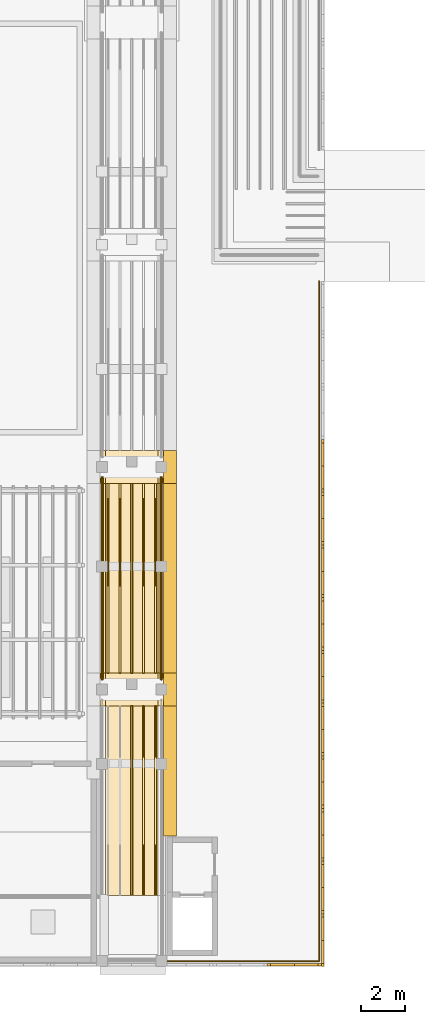
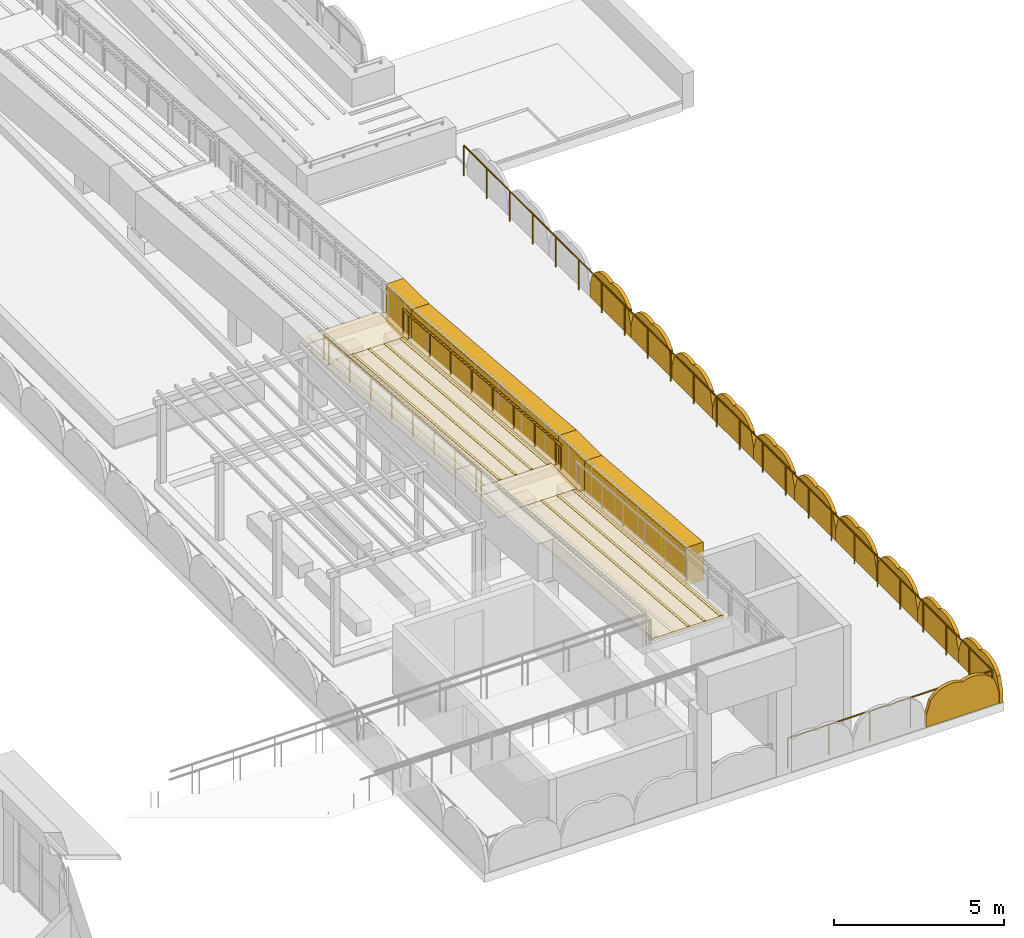
# One storey, part 65 of 70: 19 coverings, 11 shading devices, 3 railings.
"""IFC4 building model written with IfcOpenShell, lengths in metres."""

import ifcopenshell
import ifcopenshell.guid

model = None  # the IFC model being written
_history = None  # IfcOwnerHistory: only IFC2X3 demands one
_inside = {}  # id of a spatial element -> (the spatial element, [elements in it])
_under = {}  # id of a project, library or spatial element -> (it, [spatial elements below it])
_declared = {}  # id of a project -> (the project, [libraries it declares])
_typed = {}  # id of a type object -> (the type object, [elements of that type])
_made_of = {}  # id of a material, layer set ... -> (it, [elements and type objects made of it])


def new_model(schema):
    """Start an empty IFC model of exactly this schema.

    Asked for "IFC4X3", IfcOpenShell would pick the latest addendum, in which some entities
    have other attributes; the version numbers below select the first issue.
    IFC2X3 requires an IfcOwnerHistory on every rooted entity: one is made here for all.
    """
    global model, _history
    if schema == "IFC4X3":
        model = ifcopenshell.file(schema_version=(4, 3, 0, 0))
    else:
        model = ifcopenshell.file(schema=schema)
    _inside.clear()
    _under.clear()
    _declared.clear()
    _typed.clear()
    _made_of.clear()
    _history = None
    if model.schema == "IFC2X3":
        org = make("IfcOrganization", Name="unknown")
        user = make(
            "IfcPersonAndOrganization",
            ThePerson=make("IfcPerson", FamilyName="unknown"),
            TheOrganization=org,
        )
        app = make(
            "IfcApplication",
            ApplicationDeveloper=org,
            Version="unknown",
            ApplicationFullName="unknown",
            ApplicationIdentifier="unknown",
        )
        _history = make(
            "IfcOwnerHistory",
            OwningUser=user,
            OwningApplication=app,
            ChangeAction="ADDED",
            CreationDate=0,
        )
    return model


def make(cls, **values):
    """One entity of the class cls with the attributes given. An attribute that is None is left unset."""
    return model.create_entity(
        cls, **{name: value for name, value in values.items() if value is not None}
    )


def rooted(cls, **values):
    """An entity with a GlobalId (a new one), such as an element, a storey or a relation."""
    return make(cls, GlobalId=ifcopenshell.guid.new(), OwnerHistory=_history, **values)


def si_unit(unit_type, name, prefix=None):
    """IfcSIUnit, for example si_unit("LENGTHUNIT", "METRE", prefix="MILLI")."""
    return make("IfcSIUnit", UnitType=unit_type, Prefix=prefix, Name=name)


def assignment(units):
    """IfcUnitAssignment: the units of a project."""
    return None if units is None else make("IfcUnitAssignment", Units=units)


def point(xyz):
    """IfcCartesianPoint."""
    return None if xyz is None else make("IfcCartesianPoint", Coordinates=xyz)


def direction(xyz):
    """IfcDirection."""
    return None if xyz is None else make("IfcDirection", DirectionRatios=xyz)


def frame(location, z_axis=None, x_axis=None):
    """IfcAxis2Placement3D, a coordinate frame: its origin and axes. An axis left out is left unset."""
    return make(
        "IfcAxis2Placement3D",
        Location=point(location),
        Axis=direction(z_axis),
        RefDirection=direction(x_axis),
    )


def frame_2d(location, x_axis=None):
    """IfcAxis2Placement2D, a coordinate frame in the plane: its origin and x axis."""
    return make(
        "IfcAxis2Placement2D", Location=point(location), RefDirection=direction(x_axis)
    )


def origin():
    """The frame at (0, 0, 0) with its axes left unset."""
    return frame((0.0, 0.0, 0.0))


def origin_2d():
    """The frame at (0, 0) in the plane with its x axis left unset."""
    return frame_2d((0.0, 0.0))


def place(relative_to, where):
    """IfcLocalPlacement: puts the frame where relative to a parent placement (None: the world)."""
    return make(
        "IfcLocalPlacement", PlacementRelTo=relative_to, RelativePlacement=where
    )


def context(
    kind, dimensions, precision=None, world=None, true_north=None, identifier=None
):
    """IfcGeometricRepresentationContext, for example the 3D "Model" context."""
    return make(
        "IfcGeometricRepresentationContext",
        ContextIdentifier=identifier,
        ContextType=kind,
        CoordinateSpaceDimension=dimensions,
        Precision=precision,
        WorldCoordinateSystem=world,
        TrueNorth=true_north,
    )


def subcontext(parent, identifier, kind, view, scale=None):
    """IfcGeometricRepresentationSubContext, for example "Body" below "Model"."""
    return make(
        "IfcGeometricRepresentationSubContext",
        ContextIdentifier=identifier,
        ContextType=kind,
        ParentContext=parent,
        TargetScale=scale,
        TargetView=view,
    )


def project(units=None, contexts=None):
    """IfcProject with its units and contexts."""
    return rooted(
        "IfcProject",
        Name="project",
        RepresentationContexts=contexts,
        UnitsInContext=assignment(units),
    )


def spatial(cls, under=None, at=None, **own):
    """A site, building, storey or space (cls), placed at a placement, below another one or the project."""
    s = rooted(cls, ObjectPlacement=at, **own)
    if under is not None:
        _under.setdefault(under.id(), (under, []))[1].append(s)
    return s


def polyline(points):
    """IfcPolyline through the points."""
    return make("IfcPolyline", Points=[point(p) for p in points])


def profile(cls, at=None, kind="AREA", **sizes):
    """A parametric profile (cls). Its sizes go by their IFC names, for example OverallWidth=200.0."""
    return make(cls, ProfileType=kind, Position=at, **sizes)


def circle(**sizes):
    """IfcCircleProfileDef."""
    return profile("IfcCircleProfileDef", **sizes)


def outline(outer, holes=None, kind="AREA"):
    """IfcArbitraryClosedProfileDef: a profile drawn as a closed curve; with holes, ...WithVoids."""
    if holes is None:
        return make("IfcArbitraryClosedProfileDef", ProfileType=kind, OuterCurve=outer)
    return make(
        "IfcArbitraryProfileDefWithVoids",
        ProfileType=kind,
        OuterCurve=outer,
        InnerCurves=holes,
    )


def extrude(swept, where, along, depth):
    """IfcExtrudedAreaSolid: the profile swept, set in the frame where, extruded along a direction by depth."""
    return make(
        "IfcExtrudedAreaSolid",
        SweptArea=swept,
        Position=where,
        ExtrudedDirection=direction(along),
        Depth=depth,
    )


def shape(context_of_items, identifier, shape_type, items):
    """IfcShapeRepresentation: the items that make up one representation, for example the "Body"."""
    return make(
        "IfcShapeRepresentation",
        ContextOfItems=context_of_items,
        RepresentationIdentifier=identifier,
        RepresentationType=shape_type,
        Items=items,
    )


def material(Name=None, Category=None):
    """IfcMaterial."""
    return make("IfcMaterial", Name=Name, Category=Category)


def layer(
    of_material, thickness, ventilated=None, Name=None, Category=None, Priority=None
):
    """IfcMaterialLayer: one layer of a wall or slab, of a material (None: an air gap)."""
    return make(
        "IfcMaterialLayer",
        Material=of_material,
        LayerThickness=thickness,
        IsVentilated=ventilated,
        Name=Name,
        Category=Category,
        Priority=Priority,
    )


def layer_set(layers, Name=None):
    """IfcMaterialLayerSet."""
    return make("IfcMaterialLayerSet", MaterialLayers=layers, LayerSetName=Name)


def made_of(thing, what):
    """Note that an element or type object is made of a material, layer set ...; save() writes the relation."""
    if what is not None:
        _made_of.setdefault(what.id(), (what, []))[1].append(thing)
    return thing


def type_object(cls, material=None, **own):
    """A type object (cls), such as IfcWallType, which elements share."""
    return made_of(rooted(cls, **own), material)


def element(
    cls,
    number,
    at=None,
    inside=None,
    cuts=None,
    type_object=None,
    material=None,
    context=None,
    identifier="Body",
    shape_type=None,
    held_by="IfcProductDefinitionShape",
    body=None,
    shapes=None,
    **own,
):
    """One element of the class cls, such as IfcWall. Its Tag is "e" and its number.

    at: its placement. inside: the storey or other place that contains it. cuts: it is an
    opening in that element (IfcRelVoidsElement). A single representation is given by context,
    identifier, shape_type and body (its items); several are given by shapes. held_by: the class
    of the entity that holds the representations. save() writes the other relations.
    """
    e = rooted(cls, Tag="e%d" % number, ObjectPlacement=at, **own)
    if body is not None:
        shapes = [shape(context, identifier, shape_type, body)]
    if shapes is not None:
        e.Representation = make(held_by, Representations=shapes)
    if inside is not None:
        _inside.setdefault(inside.id(), (inside, []))[1].append(e)
    if cuts is not None:
        rooted(
            "IfcRelVoidsElement", RelatingBuildingElement=cuts, RelatedOpeningElement=e
        )
    if type_object is not None:
        _typed.setdefault(type_object.id(), (type_object, []))[1].append(e)
    return made_of(e, material)


def aggregate(whole, parts):
    """IfcRelAggregates: a whole, such as a stair, and the parts it consists of."""
    return rooted("IfcRelAggregates", RelatingObject=whole, RelatedObjects=parts)


def save(model, path):
    """Write the relations noted so far, then the file.

    IfcRelAggregates (storeys below a building ...), IfcRelContainedInSpatialStructure (elements
    in a storey), IfcRelDefinesByType, IfcRelAssociatesMaterial and IfcRelDeclares: one each for
    every whole, place, type object, material and project.
    """
    for whole, parts in _under.values():
        aggregate(whole, parts)
    for where, things in _inside.values():
        rooted(
            "IfcRelContainedInSpatialStructure",
            RelatedElements=things,
            RelatingStructure=where,
        )
    for kind, things in _typed.values():
        rooted("IfcRelDefinesByType", RelatedObjects=things, RelatingType=kind)
    for what, things in _made_of.values():
        rooted("IfcRelAssociatesMaterial", RelatedObjects=things, RelatingMaterial=what)
    for by, libraries in _declared.values():
        rooted("IfcRelDeclares", RelatingContext=by, RelatedDefinitions=libraries)
    model.write(path)


model = new_model("IFC4")

# Units and contexts
model_context = context("Model", 3, precision=1e-05, world=origin(), true_north=direction((0.0, 1.0)))
body_context = subcontext(model_context, "Body", "Model", "MODEL_VIEW")
ifc_project = project(units=[si_unit("LENGTHUNIT", "METRE"), si_unit("AREAUNIT", "SQUARE_METRE"), si_unit("VOLUMEUNIT", "CUBIC_METRE"), si_unit("PLANEANGLEUNIT", "RADIAN"), si_unit("MASSUNIT", "GRAM", prefix="KILO")], contexts=[model_context])

# Site, building, storey
site_placement = place(None, origin())
site = spatial("IfcSite", under=ifc_project, at=site_placement, CompositionType="ELEMENT")
building_placement = place(site_placement, origin())
building = spatial("IfcBuilding", under=site, at=building_placement, Name="Elbe Cascade School", CompositionType="ELEMENT")
storey_placement = place(building_placement, frame((0.0, 0.0, 8.10009765625)))
storey = spatial("IfcBuildingStorey", under=building, at=storey_placement, Name="L02", CompositionType="ELEMENT", Elevation=8.10009765625)

# Shading devices
ifc_material_1 = material(Name="Precast concrete C40/50", Category="concrete")
ifc_layer_1 = layer(ifc_material_1, 0.1201171875)
ifc_layer_set_1 = layer_set([ifc_layer_1], Name="Precast concrete C40/50")
shading_device_type = type_object("IfcShadingDeviceType", Name="Bars envelope Attic jali screen, pointed arch top, pierced precast concrete, 1200 high", PredefinedType="USERDEFINED", material=ifc_layer_set_1)
shading_device_1_placement = place(storey_placement, frame((175.1201171875, 5.75, 0.0), z_axis=(1.0, 0.0, 0.0), x_axis=(0.0, 1.0, 0.0)))
element("IfcShadingDevice", 1, at=shading_device_1_placement, inside=storey, type_object=shading_device_type, Name="Attic jali screen SD1 D.L02.e1", ObjectType="JALI", PredefinedType="USERDEFINED", context=body_context, shape_type="SweptSolid", body=[
    extrude(outline(polyline([(0.0, 0.0), (2.40380859375, 0.0), (2.40380859375, 0.39990234375), (2.253662109375, 0.8876953125), (2.103515625, 1.056396484375), (1.953125, 1.160400390625), (1.802978515625, 1.22509765625), (1.652587890625, 1.25927734375), (1.50244140625, 1.266357421875), (1.352294921875, 1.247314453125), (1.201904296875, 1.199951171875), (1.0517578125, 1.247314453125), (0.9013671875, 1.266357421875), (0.751220703125, 1.25927734375), (0.60107421875, 1.22509765625), (0.45068359375, 1.160400390625), (0.300537109375, 1.056396484375), (0.150146484375, 0.8876953125), (0.0, 0.39990234375), (0.0, 0.0)])), origin(), (0.0, 0.0, -1.0), 0.1201171875),
])
shading_device_2_placement = place(storey_placement, frame((175.1201171875, 8.15380859375, 0.0), z_axis=(1.0, 0.0, 0.0), x_axis=(0.0, 1.0, 0.0)))
element("IfcShadingDevice", 2, at=shading_device_2_placement, inside=storey, type_object=shading_device_type, Name="Attic jali screen SD1 D.L02.e2", ObjectType="JALI", PredefinedType="USERDEFINED", context=body_context, shape_type="SweptSolid", body=[
    extrude(outline(polyline([(0.0, 0.0), (2.40380859375, 0.0), (2.40380859375, 0.39990234375), (2.253662109375, 0.8876953125), (2.103271484375, 1.056396484375), (1.953125, 1.160400390625), (1.802978515625, 1.22509765625), (1.652587890625, 1.25927734375), (1.50244140625, 1.266357421875), (1.352294921875, 1.247314453125), (1.201904296875, 1.199951171875), (1.0517578125, 1.247314453125), (0.901611328125, 1.266357421875), (0.751220703125, 1.25927734375), (0.60107421875, 1.22509765625), (0.45068359375, 1.160400390625), (0.300537109375, 1.056396484375), (0.150390625, 0.8876953125), (0.0, 0.39990234375), (0.0, 0.0)])), origin(), (0.0, 0.0, -1.0), 0.1201171875),
])
shading_device_3_placement = place(storey_placement, frame((175.1201171875, 10.5576171875, 0.0), z_axis=(1.0, 0.0, 0.0), x_axis=(0.0, 1.0, 0.0)))
element("IfcShadingDevice", 3, at=shading_device_3_placement, inside=storey, type_object=shading_device_type, Name="Attic jali screen SD1 D.L02.e3", ObjectType="JALI", PredefinedType="USERDEFINED", context=body_context, shape_type="SweptSolid", body=[
    extrude(outline(polyline([(0.0, 0.0), (2.40380859375, 0.0), (2.40380859375, 0.39990234375), (2.253662109375, 0.8876953125), (2.103515625, 1.056396484375), (1.953125, 1.160400390625), (1.802978515625, 1.22509765625), (1.652587890625, 1.25927734375), (1.50244140625, 1.266357421875), (1.352294921875, 1.247314453125), (1.201904296875, 1.199951171875), (1.0517578125, 1.247314453125), (0.9013671875, 1.266357421875), (0.751220703125, 1.25927734375), (0.60107421875, 1.22509765625), (0.45068359375, 1.160400390625), (0.300537109375, 1.056396484375), (0.150390625, 0.8876953125), (0.0, 0.39990234375), (0.0, 0.0)])), origin(), (0.0, 0.0, -1.0), 0.1201171875),
])
shading_device_4_placement = place(storey_placement, frame((175.1201171875, 12.96142578125, 0.0), z_axis=(1.0, 0.0, 0.0), x_axis=(0.0, 1.0, 0.0)))
element("IfcShadingDevice", 4, at=shading_device_4_placement, inside=storey, type_object=shading_device_type, Name="Attic jali screen SD1 D.L02.e4", ObjectType="JALI", PredefinedType="USERDEFINED", context=body_context, shape_type="SweptSolid", body=[
    extrude(outline(polyline([(0.0, 0.0), (2.404052734375, 0.0), (2.404052734375, 0.39990234375), (2.253662109375, 0.8876953125), (2.103515625, 1.056396484375), (1.953369140625, 1.160400390625), (1.802978515625, 1.22509765625), (1.65283203125, 1.25927734375), (1.50244140625, 1.266357421875), (1.352294921875, 1.247314453125), (1.2021484375, 1.199951171875), (1.0517578125, 1.247314453125), (0.901611328125, 1.266357421875), (0.751220703125, 1.25927734375), (0.60107421875, 1.22509765625), (0.450927734375, 1.160400390625), (0.300537109375, 1.056396484375), (0.150390625, 0.8876953125), (0.0, 0.39990234375), (0.0, 0.0)])), origin(), (0.0, 0.0, -1.0), 0.1201171875),
])
shading_device_5_placement = place(storey_placement, frame((175.1201171875, 15.365478515625, 0.0), z_axis=(1.0, 0.0, 0.0), x_axis=(0.0, 1.0, 0.0)))
element("IfcShadingDevice", 5, at=shading_device_5_placement, inside=storey, type_object=shading_device_type, Name="Attic jali screen SD1 D.L02.e5", ObjectType="JALI", PredefinedType="USERDEFINED", context=body_context, shape_type="SweptSolid", body=[
    extrude(outline(polyline([(0.0, 0.0), (2.40380859375, 0.0), (2.40380859375, 0.39990234375), (2.25341796875, 0.8876953125), (2.103271484375, 1.056396484375), (1.953125, 1.160400390625), (1.802734375, 1.22509765625), (1.652587890625, 1.25927734375), (1.50244140625, 1.266357421875), (1.35205078125, 1.247314453125), (1.201904296875, 1.199951171875), (1.051513671875, 1.247314453125), (0.9013671875, 1.266357421875), (0.751220703125, 1.25927734375), (0.600830078125, 1.22509765625), (0.45068359375, 1.160400390625), (0.300537109375, 1.056396484375), (0.150146484375, 0.8876953125), (0.0, 0.39990234375), (0.0, 0.0)])), origin(), (0.0, 0.0, -1.0), 0.1201171875),
])
shading_device_6_placement = place(storey_placement, frame((175.1201171875, 17.769287109375, 0.0), z_axis=(1.0, 0.0, 0.0), x_axis=(0.0, 1.0, 0.0)))
element("IfcShadingDevice", 6, at=shading_device_6_placement, inside=storey, type_object=shading_device_type, Name="Attic jali screen SD1 D.L02.e6", ObjectType="JALI", PredefinedType="USERDEFINED", context=body_context, shape_type="SweptSolid", body=[
    extrude(outline(polyline([(0.0, 0.0), (2.40380859375, 0.0), (2.40380859375, 0.39990234375), (2.25341796875, 0.8876953125), (2.103271484375, 1.056396484375), (1.953125, 1.160400390625), (1.802734375, 1.22509765625), (1.652587890625, 1.25927734375), (1.502197265625, 1.266357421875), (1.35205078125, 1.247314453125), (1.201904296875, 1.199951171875), (1.051513671875, 1.247314453125), (0.9013671875, 1.266357421875), (0.751220703125, 1.25927734375), (0.600830078125, 1.22509765625), (0.45068359375, 1.160400390625), (0.30029296875, 1.056396484375), (0.150146484375, 0.8876953125), (0.0, 0.39990234375), (0.0, 0.0)])), origin(), (0.0, 0.0, -1.0), 0.1201171875),
])
shading_device_7_placement = place(storey_placement, frame((175.1201171875, 20.173095703125, 0.0), z_axis=(1.0, 0.0, 0.0), x_axis=(0.0, 1.0, 0.0)))
element("IfcShadingDevice", 7, at=shading_device_7_placement, inside=storey, type_object=shading_device_type, Name="Attic jali screen SD1 D.L02.e7", ObjectType="JALI", PredefinedType="USERDEFINED", context=body_context, shape_type="SweptSolid", body=[
    extrude(outline(polyline([(0.0, 0.0), (2.40380859375, 0.0), (2.40380859375, 0.39990234375), (2.253662109375, 0.8876953125), (2.103271484375, 1.056396484375), (1.953125, 1.160400390625), (1.802978515625, 1.22509765625), (1.652587890625, 1.25927734375), (1.50244140625, 1.266357421875), (1.35205078125, 1.247314453125), (1.201904296875, 1.199951171875), (1.0517578125, 1.247314453125), (0.9013671875, 1.266357421875), (0.751220703125, 1.25927734375), (0.600830078125, 1.22509765625), (0.45068359375, 1.160400390625), (0.300537109375, 1.056396484375), (0.150146484375, 0.8876953125), (0.0, 0.39990234375), (0.0, 0.0)])), origin(), (0.0, 0.0, -1.0), 0.1201171875),
])
shading_device_8_placement = place(storey_placement, frame((175.1201171875, 22.576904296875, 0.0), z_axis=(1.0, 0.0, 0.0), x_axis=(0.0, 1.0, 0.0)))
element("IfcShadingDevice", 8, at=shading_device_8_placement, inside=storey, type_object=shading_device_type, Name="Attic jali screen SD1 D.L02.e8", ObjectType="JALI", PredefinedType="USERDEFINED", context=body_context, shape_type="SweptSolid", body=[
    extrude(outline(polyline([(0.0, 0.0), (2.40380859375, 0.0), (2.40380859375, 0.39990234375), (2.253662109375, 0.8876953125), (2.103515625, 1.056396484375), (1.953125, 1.160400390625), (1.802978515625, 1.22509765625), (1.652587890625, 1.25927734375), (1.50244140625, 1.266357421875), (1.352294921875, 1.247314453125), (1.201904296875, 1.199951171875), (1.0517578125, 1.247314453125), (0.901611328125, 1.266357421875), (0.751220703125, 1.25927734375), (0.60107421875, 1.22509765625), (0.45068359375, 1.160400390625), (0.300537109375, 1.056396484375), (0.150390625, 0.8876953125), (0.0, 0.39990234375), (0.0, 0.0)])), origin(), (0.0, 0.0, -1.0), 0.1201171875),
])
shading_device_9_placement = place(storey_placement, frame((175.1201171875, 24.980712890625, 0.0), z_axis=(1.0, 0.0, 0.0), x_axis=(0.0, 1.0, 0.0)))
element("IfcShadingDevice", 9, at=shading_device_9_placement, inside=storey, type_object=shading_device_type, Name="Attic jali screen SD1 D.L02.e9", ObjectType="JALI", PredefinedType="USERDEFINED", context=body_context, shape_type="SweptSolid", body=[
    extrude(outline(polyline([(0.0, 0.0), (2.40380859375, 0.0), (2.40380859375, 0.39990234375), (2.253662109375, 0.8876953125), (2.103271484375, 1.056396484375), (1.953125, 1.160400390625), (1.802978515625, 1.22509765625), (1.652587890625, 1.25927734375), (1.50244140625, 1.266357421875), (1.352294921875, 1.247314453125), (1.201904296875, 1.199951171875), (1.0517578125, 1.247314453125), (0.9013671875, 1.266357421875), (0.751220703125, 1.25927734375), (0.60107421875, 1.22509765625), (0.45068359375, 1.160400390625), (0.300537109375, 1.056396484375), (0.150390625, 0.8876953125), (0.0, 0.39990234375), (0.0, 0.0)])), origin(), (0.0, 0.0, -1.0), 0.1201171875),
])
shading_device_10_placement = place(storey_placement, frame((175.1201171875, 27.384521484375, 0.0), z_axis=(1.0, 0.0, 0.0), x_axis=(0.0, 1.0, 0.0)))
element("IfcShadingDevice", 10, at=shading_device_10_placement, inside=storey, type_object=shading_device_type, Name="Attic jali screen SD1 D.L02.e10", ObjectType="JALI", PredefinedType="USERDEFINED", context=body_context, shape_type="SweptSolid", body=[
    extrude(outline(polyline([(0.0, 0.0), (2.404052734375, 0.0), (2.404052734375, 0.39990234375), (2.253662109375, 0.8876953125), (2.103515625, 1.056396484375), (1.953125, 1.160400390625), (1.802978515625, 1.22509765625), (1.65283203125, 1.25927734375), (1.50244140625, 1.266357421875), (1.352294921875, 1.247314453125), (1.201904296875, 1.199951171875), (1.0517578125, 1.247314453125), (0.901611328125, 1.266357421875), (0.751220703125, 1.25927734375), (0.60107421875, 1.22509765625), (0.45068359375, 1.160400390625), (0.300537109375, 1.056396484375), (0.150390625, 0.8876953125), (0.0, 0.39990234375), (0.0, 0.0)])), origin(), (0.0, 0.0, -1.0), 0.1201171875),
])
shading_device_11_placement = place(storey_placement, frame((172.528564453125, 5.780029296875, 0.0), z_axis=(0.0, -1.0, 0.0), x_axis=(1.0, 0.0, 0.0)))
element("IfcShadingDevice", 11, at=shading_device_11_placement, inside=storey, type_object=shading_device_type, Name="Attic jali screen SD1 D.L02.s7", ObjectType="JALI", PredefinedType="USERDEFINED", context=body_context, shape_type="SweptSolid", body=[
    extrude(outline(polyline([(0.0, 0.0), (2.471435546875, 0.0), (2.471435546875, 0.39990234375), (2.31689453125, 0.89697265625), (2.16259765625, 1.068115234375), (2.008056640625, 1.173095703125), (1.853515625, 1.237548828125), (1.69921875, 1.2705078125), (1.544677734375, 1.275390625), (1.39013671875, 1.252685546875), (1.23583984375, 1.199951171875), (1.081298828125, 1.252685546875), (0.9267578125, 1.275390625), (0.772216796875, 1.2705078125), (0.617919921875, 1.237548828125), (0.46337890625, 1.173095703125), (0.308837890625, 1.068115234375), (0.154541015625, 0.89697265625), (0.0, 0.39990234375), (0.0, 0.0)])), origin(), (0.0, 0.0, -1.0), 0.1201171875),
])

# Railing
ifc_material_2 = material(Name="Steel S355J2H, hot-dip galvanised", Category="steel")
railing_type_1 = type_object("IfcRailingType", Name="Bars envelope Roof edge guard 1100, galvanised steel", PredefinedType="GUARDRAIL", material=ifc_material_2)
railing_1_placement = place(storey_placement, frame((167.970947265625, 6.0, 0.0)))
element("IfcRailing", 12, at=railing_1_placement, inside=storey, type_object=railing_type_1, Name="Roof edge guard RL10 D.L02.2", PredefinedType="GUARDRAIL", context=body_context, shape_type="SweptSolid", body=[
    extrude(circle(Radius=0.02392578125, at=origin_2d()), frame((0.0, 0.0, 1.076171875), z_axis=(1.0, 0.0, 0.0), x_axis=(0.0, 1.0, 0.0)), (0.0, 0.0, 1.0), 6.928955078125),
    extrude(circle(Radius=0.02392578125, at=origin_2d()), frame((6.928955078125, 0.0, 1.076171875), z_axis=(0.0, 1.0, 0.0), x_axis=(-1.0, 0.0, 0.0)), (0.0, 0.0, 1.0), 31.0),
    extrude(circle(Radius=0.02099609375, at=origin_2d()), origin(), (0.0, 0.0, 1.0), 1.052001953125),
    extrude(circle(Radius=0.02099609375, at=origin_2d()), frame((1.3857421875, 0.0, 0.0)), (0.0, 0.0, 1.0), 1.052001953125),
    extrude(circle(Radius=0.02099609375, at=origin_2d()), frame((2.771484375, 0.0, 0.0)), (0.0, 0.0, 1.0), 1.052001953125),
    extrude(circle(Radius=0.02099609375, at=origin_2d()), frame((4.157470703125, 0.0, 0.0)), (0.0, 0.0, 1.0), 1.052001953125),
    extrude(circle(Radius=0.02099609375, at=origin_2d()), frame((5.543212890625, 0.0, 0.0)), (0.0, 0.0, 1.0), 1.052001953125),
    extrude(circle(Radius=0.02099609375, at=origin_2d()), frame((6.928955078125, 0.0, 0.0)), (0.0, 0.0, 1.0), 1.052001953125),
    extrude(circle(Radius=0.02099609375, at=origin_2d()), frame((6.928955078125, 1.347900390625, 0.0)), (0.0, 0.0, 1.0), 1.052001953125),
    extrude(circle(Radius=0.02099609375, at=origin_2d()), frame((6.928955078125, 2.695556640625, 0.0)), (0.0, 0.0, 1.0), 1.052001953125),
    extrude(circle(Radius=0.02099609375, at=origin_2d()), frame((6.928955078125, 4.04345703125, 0.0)), (0.0, 0.0, 1.0), 1.052001953125),
    extrude(circle(Radius=0.02099609375, at=origin_2d()), frame((6.928955078125, 5.391357421875, 0.0)), (0.0, 0.0, 1.0), 1.052001953125),
    extrude(circle(Radius=0.02099609375, at=origin_2d()), frame((6.928955078125, 6.739013671875, 0.0)), (0.0, 0.0, 1.0), 1.052001953125),
    extrude(circle(Radius=0.02099609375, at=origin_2d()), frame((6.928955078125, 8.0869140625, 0.0)), (0.0, 0.0, 1.0), 1.052001953125),
    extrude(circle(Radius=0.02099609375, at=origin_2d()), frame((6.928955078125, 9.434814453125, 0.0)), (0.0, 0.0, 1.0), 1.052001953125),
    extrude(circle(Radius=0.02099609375, at=origin_2d()), frame((6.928955078125, 10.78271484375, 0.0)), (0.0, 0.0, 1.0), 1.052001953125),
    extrude(circle(Radius=0.02099609375, at=origin_2d()), frame((6.928955078125, 12.13037109375, 0.0)), (0.0, 0.0, 1.0), 1.052001953125),
    extrude(circle(Radius=0.02099609375, at=origin_2d()), frame((6.928955078125, 13.478271484375, 0.0)), (0.0, 0.0, 1.0), 1.052001953125),
    extrude(circle(Radius=0.02099609375, at=origin_2d()), frame((6.928955078125, 14.826171875, 0.0)), (0.0, 0.0, 1.0), 1.052001953125),
    extrude(circle(Radius=0.02099609375, at=origin_2d()), frame((6.928955078125, 16.173828125, 0.0)), (0.0, 0.0, 1.0), 1.052001953125),
    extrude(circle(Radius=0.02099609375, at=origin_2d()), frame((6.928955078125, 17.521728515625, 0.0)), (0.0, 0.0, 1.0), 1.052001953125),
    extrude(circle(Radius=0.02099609375, at=origin_2d()), frame((6.928955078125, 18.86962890625, 0.0)), (0.0, 0.0, 1.0), 1.052001953125),
    extrude(circle(Radius=0.02099609375, at=origin_2d()), frame((6.928955078125, 20.21728515625, 0.0)), (0.0, 0.0, 1.0), 1.052001953125),
    extrude(circle(Radius=0.02099609375, at=origin_2d()), frame((6.928955078125, 21.565185546875, 0.0)), (0.0, 0.0, 1.0), 1.052001953125),
    extrude(circle(Radius=0.02099609375, at=origin_2d()), frame((6.928955078125, 22.9130859375, 0.0)), (0.0, 0.0, 1.0), 1.052001953125),
    extrude(circle(Radius=0.02099609375, at=origin_2d()), frame((6.928955078125, 24.260986328125, 0.0)), (0.0, 0.0, 1.0), 1.052001953125),
    extrude(circle(Radius=0.02099609375, at=origin_2d()), frame((6.928955078125, 25.608642578125, 0.0)), (0.0, 0.0, 1.0), 1.052001953125),
    extrude(circle(Radius=0.02099609375, at=origin_2d()), frame((6.928955078125, 26.95654296875, 0.0)), (0.0, 0.0, 1.0), 1.052001953125),
    extrude(circle(Radius=0.02099609375, at=origin_2d()), frame((6.928955078125, 28.304443359375, 0.0)), (0.0, 0.0, 1.0), 1.052001953125),
    extrude(circle(Radius=0.02099609375, at=origin_2d()), frame((6.928955078125, 29.652099609375, 0.0)), (0.0, 0.0, 1.0), 1.052001953125),
    extrude(circle(Radius=0.02099609375, at=origin_2d()), frame((6.928955078125, 31.0, 0.0)), (0.0, 0.0, 1.0), 1.052001953125),
])

# Coverings
ifc_material_3 = material(Name="Running track surfacing - white lines", Category="surfacing")
ifc_layer_2 = layer(ifc_material_3, 0.02001953125)
ifc_layer_set_2 = layer_set([ifc_layer_2], Name="Running track surfacing - white lines")
covering_type_1 = type_object("IfcCoveringType", Name="Lane marking 80", PredefinedType="FLOORING", material=ifc_layer_set_2)
for number, where, z_axis, x_axis, name in (
    (13, (166.31005859375, 9.0, 3.83984375), (0.0, 0.08304314939, 0.996545952447), (0.0, 0.996545952447, -0.08304314939), "Lane marking D ramp flight 1 line 3"),
    (14, (166.85009765625, 9.0, 3.83984375), (0.0, 0.08304314939, 0.996545952447), (0.0, 0.996545952447, -0.08304314939), "Lane marking D ramp flight 1 line 4"),
):
    element("IfcCovering", number, at=place(storey_placement, frame(where, z_axis=z_axis, x_axis=x_axis)), inside=storey, type_object=covering_type_1, Name=name, PredefinedType="FLOORING", context=body_context, shape_type="SweptSolid", body=[
        extrude(outline(polyline([(0.0, 0.0), (8.669838612967244, 0.0), (8.669838612967244, -0.079833984375), (0.0, -0.079833984375), (0.0, 0.0)])), origin(), (0.08304314939, 0.0, -0.996545952447), 0.02001953125),
    ])
covering_1_placement = place(storey_placement, frame((167.389892578125, 9.0, 3.83984375), z_axis=(0.0, 0.08304314939, 0.996545952447), x_axis=(0.0, 0.996545952447, -0.08304314939)))
element("IfcCovering", 15, at=covering_1_placement, inside=storey, type_object=covering_type_1, Name="Lane marking D ramp flight 1 line 5", PredefinedType="FLOORING", context=body_context, shape_type="SweptSolid", body=[
    extrude(outline(polyline([(0.0, 0.0), (8.669838612967244, 0.0), (8.669838612967244, -0.08007812500000001), (0.0, -0.08007812500000001), (0.0, 0.0)])), origin(), (0.08304314939, 0.0, -0.996545952447), 0.02001953125),
])
for number, where, z_axis, x_axis, name in (
    (16, (165.22998046875, 19.139892578125, 3.119873046875), (0.0, 0.083040819057, 0.996546146634), (0.0, 0.996546146634, -0.083040819057), "Lane marking D ramp flight 2 line 1"),
    (17, (165.77001953125, 19.139892578125, 3.119873046875), (0.0, 0.083040819057, 0.996546146634), (0.0, 0.996546146634, -0.083040819057), "Lane marking D ramp flight 2 line 2"),
):
    element("IfcCovering", number, at=place(storey_placement, frame(where, z_axis=z_axis, x_axis=x_axis)), inside=storey, type_object=covering_type_1, Name=name, PredefinedType="FLOORING", context=body_context, shape_type="SweptSolid", body=[
        extrude(outline(polyline([(0.0, 0.0), (8.670081910342619, 0.0), (8.670081910342619, -0.080078125), (0.0, -0.080078125), (0.0, 0.0)])), origin(), (0.083040819057, 0.0, -0.996546146634), 0.02001953125),
    ])
for number, where, z_axis, x_axis, name in (
    (18, (166.31005859375, 19.139892578125, 3.119873046875), (0.0, 0.083040819057, 0.996546146634), (0.0, 0.996546146634, -0.083040819057), "Lane marking D ramp flight 2 line 3"),
    (19, (166.85009765625, 19.139892578125, 3.119873046875), (0.0, 0.083040819057, 0.996546146634), (0.0, 0.996546146634, -0.083040819057), "Lane marking D ramp flight 2 line 4"),
):
    element("IfcCovering", number, at=place(storey_placement, frame(where, z_axis=z_axis, x_axis=x_axis)), inside=storey, type_object=covering_type_1, Name=name, PredefinedType="FLOORING", context=body_context, shape_type="SweptSolid", body=[
        extrude(outline(polyline([(0.0, 0.0), (8.670081910342619, 0.0), (8.670081910342619, -0.079833984375), (0.0, -0.079833984375), (0.0, 0.0)])), origin(), (0.083040819057, 0.0, -0.996546146634), 0.02001953125),
    ])
covering_2_placement = place(storey_placement, frame((167.389892578125, 19.139892578125, 3.119873046875), z_axis=(0.0, 0.083040819057, 0.996546146634), x_axis=(0.0, 0.996546146634, -0.083040819057)))
element("IfcCovering", 20, at=covering_2_placement, inside=storey, type_object=covering_type_1, Name="Lane marking D ramp flight 2 line 5", PredefinedType="FLOORING", context=body_context, shape_type="SweptSolid", body=[
    extrude(outline(polyline([(0.0, 0.0), (8.670081910342619, 0.0), (8.670081910342619, -0.080078125), (0.0, -0.080078125), (0.0, 0.0)])), origin(), (0.083040819057, 0.0, -0.996546146634), 0.02001953125),
])
ifc_material_4 = material(Name="Concrete C30/37 precast parapet", Category="concrete")
ifc_layer_3 = layer(ifc_material_4, 0.60009765625)
ifc_layer_set_3 = layer_set([ifc_layer_3], Name="Concrete C30/37 precast parapet")
covering_type_2 = type_object("IfcCoveringType", Name="Ramp and bridge parapet 600", PredefinedType="CLADDING", material=ifc_layer_set_3)
covering_3_placement = place(storey_placement, frame((0.0, 0.0, 2.639892578125)))
element("IfcCovering", 21, at=covering_3_placement, inside=storey, type_object=covering_type_2, Name="Ramp D landing 2 parapet e1", PredefinedType="CLADDING", context=body_context, shape_type="SweptSolid", body=[
    extrude(outline(polyline([(167.800048828125, 17.639892578125), (168.39990234375, 17.639892578125), (168.39990234375, 19.139892578125), (167.800048828125, 19.139892578125), (167.800048828125, 17.639892578125)])), origin(), (0.0, 0.0, 1.0), 1.360107421875),
])
covering_4_placement = place(storey_placement, frame((0.0, 0.0, 1.919921875)))
element("IfcCovering", 22, at=covering_4_placement, inside=storey, type_object=covering_type_2, Name="Ramp D landing 3 parapet e1", PredefinedType="CLADDING", context=body_context, shape_type="SweptSolid", body=[
    extrude(outline(polyline([(167.800048828125, 27.780029296875), (168.39990234375, 27.780029296875), (168.39990234375, 29.280029296875), (167.800048828125, 29.280029296875), (167.800048828125, 27.780029296875)])), origin(), (0.0, 0.0, 1.0), 1.35986328125),
])
covering_5_placement = place(storey_placement, frame((167.800048828125, 11.699951171875, 4.494873046875), z_axis=(0.0, 0.083025141269, 0.996547452918), x_axis=(0.0, 0.996547452918, -0.083025141269)))
element("IfcCovering", 23, at=covering_5_placement, inside=storey, type_object=covering_type_2, Name="Ramp D flight 1 parapet e2", PredefinedType="CLADDING", context=body_context, shape_type="SweptSolid", body=[
    extrude(outline(polyline([(0.0, 0.0), (5.9605203835073475, 0.0), (5.9605203835073475, -0.599853515625), (0.0, -0.599853515625), (0.0, 0.0)])), origin(), (0.083025141269, 0.0, -0.996547452918), 1.360107421875),
])
covering_6_placement = place(storey_placement, frame((167.800048828125, 19.139892578125, 4.0), z_axis=(0.0, 0.083068783756, 0.996543815979), x_axis=(0.0, 0.996543815979, -0.083068783756)))
element("IfcCovering", 24, at=covering_6_placement, inside=storey, type_object=covering_type_2, Name="Ramp D flight 2 parapet e1", PredefinedType="CLADDING", context=body_context, shape_type="SweptSolid", body=[
    extrude(outline(polyline([(0.0, 0.0), (8.670102187393748, 0.0), (8.670102187393748, -0.5998535156250001), (0.0, -0.5998535156250001), (0.0, 0.0)])), origin(), (0.083068783756, 0.0, -0.996543815979), 1.360107421875),
])
ifc_material_5 = material(Name="Running track surfacing - red", Category="surfacing")
ifc_layer_4 = layer(ifc_material_5, 0.10009765625)
ifc_layer_set_4 = layer_set([ifc_layer_4], Name="Running track surfacing - red")
covering_type_3 = type_object("IfcCoveringType", Name="Running track band 100", PredefinedType="USERDEFINED", material=ifc_layer_set_4)
covering_7_placement = place(storey_placement, frame((0.0, 0.0, 3.0)))
element("IfcCovering", 25, at=covering_7_placement, inside=storey, type_object=covering_type_3, Name="Running track band D ramp landing 2", ObjectType="RUNNING TRACK", PredefinedType="USERDEFINED", context=body_context, shape_type="SweptSolid", body=[
    extrude(outline(polyline([(167.550048828125, 17.639892578125), (167.550048828125, 19.139892578125), (165.14990234375, 19.139892578125), (165.14990234375, 17.639892578125), (167.550048828125, 17.639892578125)])), origin(), (0.0, 0.0, 1.0), 0.099853515625),
])
covering_8_placement = place(storey_placement, frame((0.0, 0.0, 2.27978515625)))
element("IfcCovering", 26, at=covering_8_placement, inside=storey, type_object=covering_type_3, Name="Running track band D ramp landing 3", ObjectType="RUNNING TRACK", PredefinedType="USERDEFINED", context=body_context, shape_type="SweptSolid", body=[
    extrude(outline(polyline([(167.550048828125, 27.780029296875), (167.550048828125, 29.280029296875), (165.14990234375, 29.280029296875), (165.14990234375, 27.780029296875), (167.550048828125, 27.780029296875)])), origin(), (0.0, 0.0, 1.0), 0.10009765625),
])
covering_9_placement = place(storey_placement, frame((165.14990234375, 9.0, 3.81982421875), z_axis=(0.0, 0.08304314939, 0.996545952447), x_axis=(0.0, 0.996545952447, -0.08304314939)))
element("IfcCovering", 27, at=covering_9_placement, inside=storey, type_object=covering_type_3, Name="Running track band D ramp flight 1", ObjectType="RUNNING TRACK", PredefinedType="USERDEFINED", context=body_context, shape_type="SweptSolid", body=[
    extrude(outline(polyline([(0.0, 0.0), (8.669838612967244, 0.0), (8.669838612967244, -2.400146484375), (0.0, -2.400146484375), (0.0, 0.0)])), origin(), (0.08304314939, 0.0, -0.996545952447), 0.10009765625),
])
covering_10_placement = place(storey_placement, frame((165.14990234375, 19.139892578125, 3.099853515625), z_axis=(0.0, 0.083040819057, 0.996546146634), x_axis=(0.0, 0.996546146634, -0.083040819057)))
element("IfcCovering", 28, at=covering_10_placement, inside=storey, type_object=covering_type_3, Name="Running track band D ramp flight 2", ObjectType="RUNNING TRACK", PredefinedType="USERDEFINED", context=body_context, shape_type="SweptSolid", body=[
    extrude(outline(polyline([(0.0, 0.0), (8.670081910342619, 0.0), (8.670081910342619, -2.400146484375), (0.0, -2.400146484375), (0.0, 0.0)])), origin(), (0.083040819057, 0.0, -0.996546146634), 0.10009765625),
])
ifc_material_6 = material(Name="Running track surfacing - red", Category="surfacing")
ifc_layer_5 = layer(ifc_material_6, 0.06005859375)
ifc_layer_set_5 = layer_set([ifc_layer_5], Name="Running track surfacing - red")
covering_type_4 = type_object("IfcCoveringType", Name="Running track surfacing 60", PredefinedType="USERDEFINED", material=ifc_layer_set_5)
covering_11_placement = place(storey_placement, frame((0.0, 0.0, 2.93994140625)))
element("IfcCovering", 29, at=covering_11_placement, inside=storey, type_object=covering_type_4, Name="Running track D ramp landing 2", ObjectType="RUNNING TRACK", PredefinedType="USERDEFINED", context=body_context, shape_type="SweptSolid", body=[
    extrude(outline(polyline([(167.800048828125, 17.639892578125), (167.800048828125, 19.139892578125), (164.89990234375, 19.139892578125), (164.89990234375, 17.639892578125), (167.800048828125, 17.639892578125)])), origin(), (0.0, 0.0, 1.0), 0.06005859375),
])
covering_12_placement = place(storey_placement, frame((0.0, 0.0, 2.219970703125)))
element("IfcCovering", 30, at=covering_12_placement, inside=storey, type_object=covering_type_4, Name="Running track D ramp landing 3", ObjectType="RUNNING TRACK", PredefinedType="USERDEFINED", context=body_context, shape_type="SweptSolid", body=[
    extrude(outline(polyline([(167.800048828125, 27.780029296875), (167.800048828125, 29.280029296875), (164.89990234375, 29.280029296875), (164.89990234375, 27.780029296875), (167.800048828125, 27.780029296875)])), origin(), (0.0, 0.0, 1.0), 0.059814453125),
])
covering_13_placement = place(storey_placement, frame((164.89990234375, 19.139892578125, 3.0), z_axis=(0.0, 0.083068783756, 0.996543815979), x_axis=(0.0, 0.996543815979, -0.083068783756)))
element("IfcCovering", 31, at=covering_13_placement, inside=storey, type_object=covering_type_4, Name="Running track D ramp flight 2", ObjectType="RUNNING TRACK", PredefinedType="USERDEFINED", context=body_context, shape_type="SweptSolid", body=[
    extrude(outline(polyline([(0.0, 0.0), (8.670102187393748, 0.0), (8.670102187393748, -2.9001464843750004), (0.0, -2.9001464843750004), (0.0, 0.0)])), origin(), (0.083068783756, 0.0, -0.996543815979), 0.06005859375),
])

# Railings
ifc_material_7 = material(Name="Steel S355J2H", Category="steel")
railing_type_2 = type_object("IfcRailingType", Name="Track handrail 900", PredefinedType="HANDRAIL", material=ifc_material_7)
railing_2_placement = place(storey_placement, frame((167.699951171875, 18.840087890625, 3.0)))
element("IfcRailing", 32, at=railing_2_placement, inside=storey, type_object=railing_type_2, Name="Track handrail RL5 C-D south and east flight 2", PredefinedType="HANDRAIL", context=body_context, shape_type="SweptSolid", body=[
    extrude(circle(Radius=0.0400390625, at=origin_2d()), frame((0.0, 0.0, 0.85986328125), z_axis=(0.0, 1.0, 0.0), x_axis=(-1.0, 0.0, 0.0)), (0.0, 0.0, 1.0), 0.2998046875),
    extrude(circle(Radius=0.0400390625, at=origin_2d()), frame((0.0, 0.2998046875, 0.85986328125), z_axis=(0.0, 0.996543815979, -0.083068783756), x_axis=(-1.0, 0.0, 0.0)), (0.0, 0.0, 1.0), 8.670166015625),
    extrude(circle(Radius=0.0400390625, at=origin_2d()), frame((0.0, 8.93994140625, 0.1396484375), z_axis=(0.0, 1.0, 0.0), x_axis=(-1.0, 0.0, 0.0)), (0.0, 0.0, 1.0), 0.300048828125),
    extrude(circle(Radius=0.02099609375, at=origin_2d()), origin(), (0.0, 0.0, 1.0), 0.81982421875),
    extrude(circle(Radius=0.02099609375, at=origin_2d()), frame((0.0, 0.2998046875, 0.0)), (0.0, 0.0, 1.0), 0.81982421875),
    extrude(circle(Radius=0.02099609375, at=origin_2d()), frame((0.0, 1.5341796875, -0.102783203125)), (0.0, 0.0, 1.0), 0.81982421875),
    extrude(circle(Radius=0.02099609375, at=origin_2d()), frame((0.0, 2.768310546875, -0.205810546875)), (0.0, 0.0, 1.0), 0.81982421875),
    extrude(circle(Radius=0.02099609375, at=origin_2d()), frame((0.0, 4.002685546875, -0.30859375)), (0.0, 0.0, 1.0), 0.81982421875),
    extrude(circle(Radius=0.02099609375, at=origin_2d()), frame((0.0, 5.237060546875, -0.41162109375)), (0.0, 0.0, 1.0), 0.81982421875),
    extrude(circle(Radius=0.02099609375, at=origin_2d()), frame((0.0, 6.471435546875, -0.514404296875)), (0.0, 0.0, 1.0), 0.81982421875),
    extrude(circle(Radius=0.02099609375, at=origin_2d()), frame((0.0, 7.70556640625, -0.617431640625)), (0.0, 0.0, 1.0), 0.81982421875),
    extrude(circle(Radius=0.02099609375, at=origin_2d()), frame((0.0, 8.93994140625, -0.72021484375)), (0.0, 0.0, 1.0), 0.81982421875),
    extrude(circle(Radius=0.02099609375, at=origin_2d()), frame((0.0, 9.239990234375, -0.72021484375)), (0.0, 0.0, 1.0), 0.81982421875),
])
railing_3_placement = place(storey_placement, frame((165.0, 18.840087890625, 3.0)))
element("IfcRailing", 33, at=railing_3_placement, inside=storey, type_object=railing_type_2, Name="Track handrail RL5 C-D north and west flight 2", PredefinedType="HANDRAIL", context=body_context, shape_type="SweptSolid", body=[
    extrude(circle(Radius=0.0400390625, at=origin_2d()), frame((0.0, 0.0, 0.85986328125), z_axis=(0.0, 1.0, 0.0), x_axis=(-1.0, 0.0, 0.0)), (0.0, 0.0, 1.0), 0.2998046875),
    extrude(circle(Radius=0.0400390625, at=origin_2d()), frame((0.0, 0.2998046875, 0.85986328125), z_axis=(0.0, 0.996543815979, -0.083068783756), x_axis=(-1.0, 0.0, 0.0)), (0.0, 0.0, 1.0), 8.670166015625),
    extrude(circle(Radius=0.0400390625, at=origin_2d()), frame((0.0, 8.93994140625, 0.1396484375), z_axis=(0.0, 1.0, 0.0), x_axis=(-1.0, 0.0, 0.0)), (0.0, 0.0, 1.0), 0.300048828125),
    extrude(circle(Radius=0.02099609375, at=origin_2d()), origin(), (0.0, 0.0, 1.0), 0.81982421875),
    extrude(circle(Radius=0.02099609375, at=origin_2d()), frame((0.0, 0.2998046875, 0.0)), (0.0, 0.0, 1.0), 0.81982421875),
    extrude(circle(Radius=0.02099609375, at=origin_2d()), frame((0.0, 1.5341796875, -0.102783203125)), (0.0, 0.0, 1.0), 0.81982421875),
    extrude(circle(Radius=0.02099609375, at=origin_2d()), frame((0.0, 2.768310546875, -0.205810546875)), (0.0, 0.0, 1.0), 0.81982421875),
    extrude(circle(Radius=0.02099609375, at=origin_2d()), frame((0.0, 4.002685546875, -0.30859375)), (0.0, 0.0, 1.0), 0.81982421875),
    extrude(circle(Radius=0.02099609375, at=origin_2d()), frame((0.0, 5.237060546875, -0.41162109375)), (0.0, 0.0, 1.0), 0.81982421875),
    extrude(circle(Radius=0.02099609375, at=origin_2d()), frame((0.0, 6.471435546875, -0.514404296875)), (0.0, 0.0, 1.0), 0.81982421875),
    extrude(circle(Radius=0.02099609375, at=origin_2d()), frame((0.0, 7.70556640625, -0.617431640625)), (0.0, 0.0, 1.0), 0.81982421875),
    extrude(circle(Radius=0.02099609375, at=origin_2d()), frame((0.0, 8.93994140625, -0.72021484375)), (0.0, 0.0, 1.0), 0.81982421875),
    extrude(circle(Radius=0.02099609375, at=origin_2d()), frame((0.0, 9.239990234375, -0.72021484375)), (0.0, 0.0, 1.0), 0.81982421875),
])

save(model, "model.ifc")
